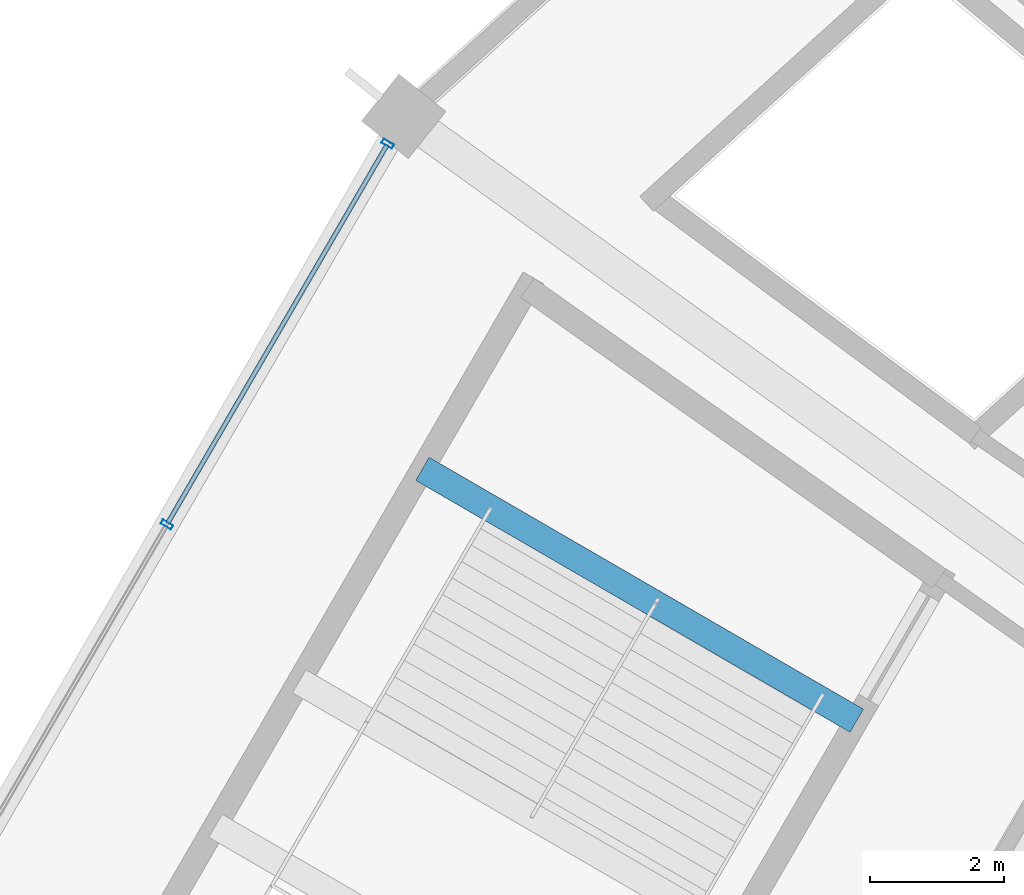
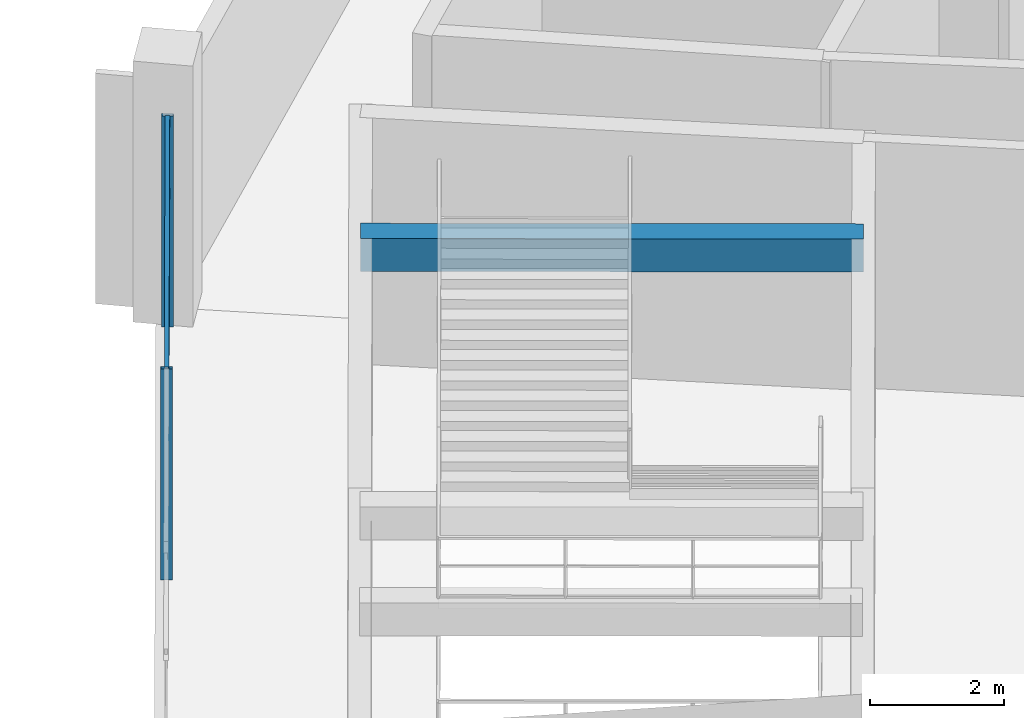
# One storey, part 68 of 156: 4 members, 1 beam, 1 element without a shape of its own.
"""IFC4 building model written with IfcOpenShell, lengths in metres."""

from ifc_helpers import new_model, si_unit, direction, frame, origin, origin_2d, place, context, subcontext, project, spatial, rectangle, hollow_rectangle, extrude, material, layer, layer_set, material_profile, profile_set, type_object, element, aggregate, save


model = new_model("IFC4")

# Units and contexts
model_context = context("Model", 3, precision=1e-05, world=origin(), true_north=direction((0.0, 1.0)))
body_context = subcontext(model_context, "Body", "Model", "MODEL_VIEW")
ifc_project = project(units=[si_unit("LENGTHUNIT", "METRE"), si_unit("AREAUNIT", "SQUARE_METRE"), si_unit("VOLUMEUNIT", "CUBIC_METRE"), si_unit("PLANEANGLEUNIT", "RADIAN"), si_unit("MASSUNIT", "GRAM", prefix="KILO")], contexts=[model_context])

# Site, building, storey
site_placement = place(None, origin())
site = spatial("IfcSite", under=ifc_project, at=site_placement, CompositionType="ELEMENT")
building_placement = place(site_placement, origin())
building = spatial("IfcBuilding", under=site, at=building_placement, Name="Kazemori Nagisa Stadium", CompositionType="ELEMENT")
storey_placement = place(building_placement, frame((0.0, 0.0, 5.780029296875)))
storey = spatial("IfcBuildingStorey", under=building, at=storey_placement, Name="L01", CompositionType="ELEMENT", Elevation=5.780029296875)

# Beam
ifc_material_1 = material(Name="Concrete C40/50 (Fc42)", Category="concrete")
ifc_material_profile_1 = material_profile(ifc_material_1, rectangle(XDim=0.39990234375, YDim=0.60009765625, at=origin_2d()), Name="RC-BM-400x600")
ifc_profile_set_1 = profile_set([ifc_material_profile_1], Name="Concrete C40/50 (Fc42)")
beam_type = type_object("IfcBeamType", Name="Beam_BG-LND400X600", PredefinedType="BEAM", material=ifc_profile_set_1)
beam_placement = place(storey_placement, frame((51.28564453125, 149.621826171875, 4.199951171875), z_axis=(-0.865086463473, 0.50162277731, 0.0), x_axis=(-0.50162277731, -0.865086463473, 0.0)))
element("IfcBeam", 1, at=beam_placement, inside=storey, type_object=beam_type, Name="Core stair arrival header girder ST08-L01", PredefinedType="BEAM", context=body_context, shape_type="SweptSolid", body=[
    extrude(rectangle(XDim=0.39990234375, YDim=0.60009765625, at=origin_2d()), origin(), (0.0, 0.0, 1.0), 7.513671875),
])

# Curtain wall, members
ifc_material_2 = material(Name="Anodised aluminium 6063-T5", Category="aluminium")
ifc_layer = layer(ifc_material_2, 0.179931640625, Name="Anodised aluminium 6063-T5", Category="aluminium")
ifc_layer_set = layer_set([ifc_layer], Name="Anodised aluminium 6063-T5")
curtain_wall_type = type_object("IfcCurtainWallType", Name="CW_L01R3_99", PredefinedType="USERDEFINED", material=ifc_layer_set)
curtain_wall_placement = place(storey_placement, origin())
curtain_wall = element("IfcCurtainWall", 2, at=curtain_wall_placement, inside=storey, type_object=curtain_wall_type, Name="Unitised curtain wall CW-L01R3-99 L01", ObjectType="UNITISED CURTAIN WALL", PredefinedType="USERDEFINED")
ifc_material_3 = material(Name="Aluminium 6063-T5 anodised", Category="aluminium")
ifc_material_profile_2 = material_profile(ifc_material_3, hollow_rectangle(XDim=0.070068359375, YDim=0.179931640625, WallThickness=0.00390625, at=origin_2d()), Name="ALU-MULL-70x180x4")
ifc_profile_set_2 = profile_set([ifc_material_profile_2], Name="Aluminium 6063-T5 anodised")
member_type_1 = type_object("IfcMemberType", Name="Mullion_M01", PredefinedType="MULLION", material=ifc_profile_set_2)
member_1_placement = place(storey_placement, frame((44.266357421875, 158.2568359375, 0.0), z_axis=(0.0, 0.0, 1.0), x_axis=(-0.501611590054, -0.865092950337, 0.0)))
member_1 = element("IfcMember", 3, at=member_1_placement, type_object=member_type_1, Name="Curtain wall mullion CW-L01R3-99-M1", PredefinedType="MULLION", context=body_context, shape_type="SweptSolid", body=[
    extrude(hollow_rectangle(XDim=0.070068359375, YDim=0.179931640625, WallThickness=0.00390625, at=origin_2d()), origin(), (0.0, 0.0, 1.0), 3.849853515625),
])
member_2_placement = place(storey_placement, frame((40.9619140625, 152.557861328125, 0.0), z_axis=(0.0, 0.0, 1.0), x_axis=(-0.501611590054, -0.865092950337, 0.0)))
member_2 = element("IfcMember", 4, at=member_2_placement, type_object=member_type_1, Name="Curtain wall mullion CW-L01R3-99-M2", PredefinedType="MULLION", context=body_context, shape_type="SweptSolid", body=[
    extrude(hollow_rectangle(XDim=0.070068359375, YDim=0.179931640625, WallThickness=0.00390625, at=origin_2d()), origin(), (0.0, 0.0, 1.0), 3.849853515625),
])
ifc_material_profile_3 = material_profile(ifc_material_3, hollow_rectangle(XDim=0.070068359375, YDim=0.139892578125, WallThickness=0.00390625, at=origin_2d()), Name="ALU-TRAN-70x140x4")
ifc_profile_set_3 = profile_set([ifc_material_profile_3], Name="Aluminium 6063-T5 anodised")
member_type_2 = type_object("IfcMemberType", Name="Transom_T01", PredefinedType="USERDEFINED", material=ifc_profile_set_3)
member_3_placement = place(storey_placement, frame((44.25634765625, 158.239501953125, 2.4638671875), z_axis=(-0.501590295943, -0.865105297069, 0.0), x_axis=(0.865105297069, -0.501590295943, 0.0)))
member_3 = element("IfcMember", 5, at=member_3_placement, type_object=member_type_2, Name="Curtain wall transom CW-L01R3-99-T1-mid", ObjectType="TRANSOM", PredefinedType="USERDEFINED", context=body_context, shape_type="SweptSolid", body=[
    extrude(hollow_rectangle(XDim=0.070068359375, YDim=0.139892578125, WallThickness=0.00390625, at=origin_2d()), origin(), (0.0, 0.0, 1.0), 6.547607421875),
])
member_4_placement = place(storey_placement, frame((44.25634765625, 158.239501953125, 3.780029296875), z_axis=(-0.501590295943, -0.865105297069, 0.0), x_axis=(0.865105297069, -0.501590295943, 0.0)))
member_4 = element("IfcMember", 6, at=member_4_placement, type_object=member_type_2, Name="Curtain wall transom CW-L01R3-99-T1-head", ObjectType="TRANSOM", PredefinedType="USERDEFINED", context=body_context, shape_type="SweptSolid", body=[
    extrude(hollow_rectangle(XDim=0.070068359375, YDim=0.139892578125, WallThickness=0.00390625, at=origin_2d()), origin(), (0.0, 0.0, 1.0), 6.547607421875),
])
aggregate(curtain_wall, [member_1, member_2, member_3, member_4])

save(model, "model.ifc")
